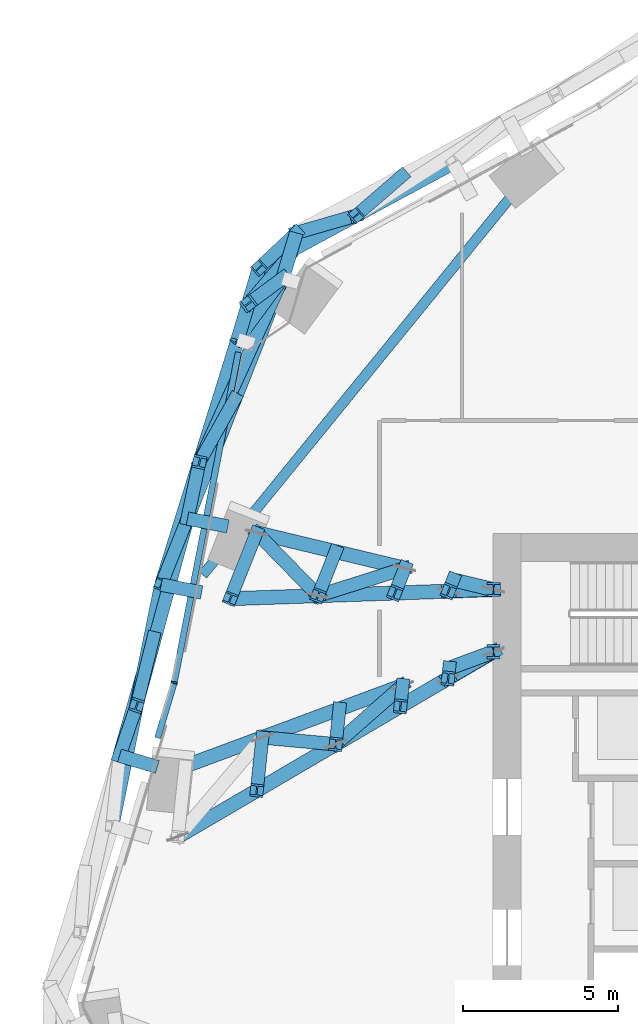
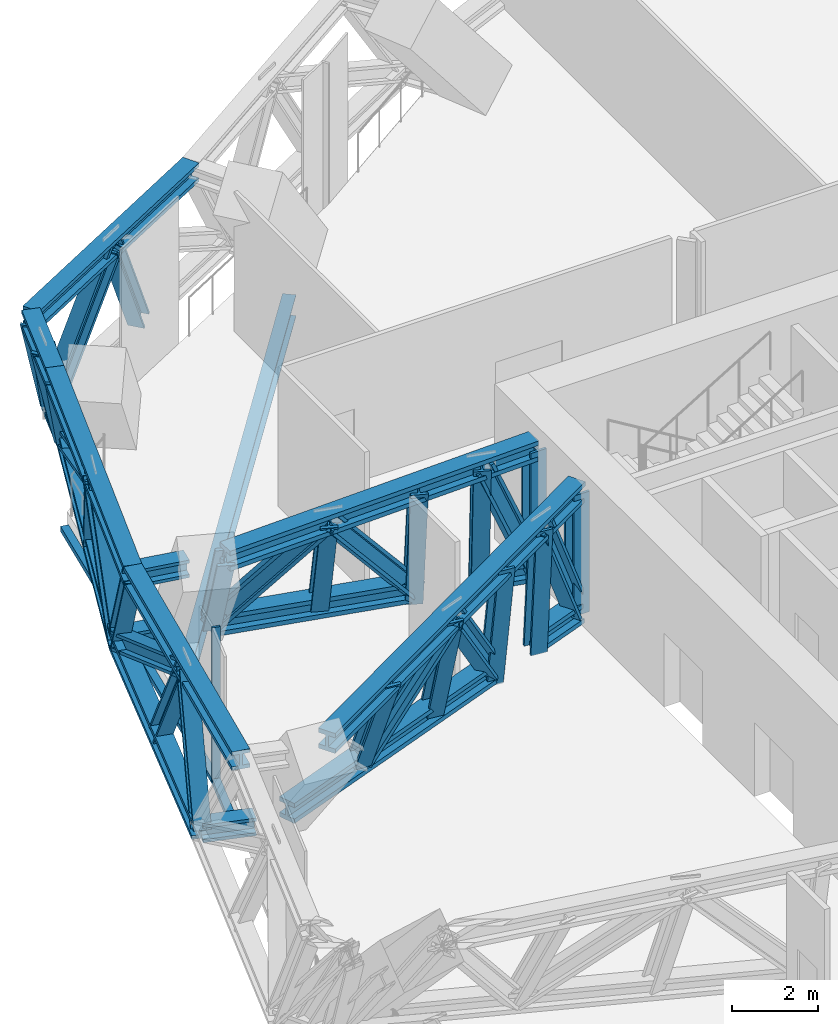
# One storey, part 12 of 39: 49 members, 1 beam, 2 elements without a shape of their own.
"""IFC4 building model written with IfcOpenShell, lengths in metres."""

from ifc_helpers import new_model, si_unit, direction, frame, origin, origin_2d, place, context, subcontext, project, spatial, rectangle, i_section, extrude, material, material_profile, profile_set, type_object, element, aggregate, save


model = new_model("IFC4")

# Units and contexts
model_context = context("Model", 3, precision=1e-05, world=origin(), true_north=direction((0.0, 1.0)))
body_context = subcontext(model_context, "Body", "Model", "MODEL_VIEW")
ifc_project = project(units=[si_unit("LENGTHUNIT", "METRE"), si_unit("AREAUNIT", "SQUARE_METRE"), si_unit("VOLUMEUNIT", "CUBIC_METRE"), si_unit("PLANEANGLEUNIT", "RADIAN"), si_unit("MASSUNIT", "GRAM", prefix="KILO")], contexts=[model_context])

# Site, building, storey
site_placement = place(None, origin())
site = spatial("IfcSite", under=ifc_project, at=site_placement, CompositionType="ELEMENT")
building_placement = place(site_placement, origin())
building = spatial("IfcBuilding", under=site, at=building_placement, Name="Orlundy Tower", CompositionType="ELEMENT")
storey_placement = place(building_placement, frame((0.0, 0.0, 141.199951171875)))
storey = spatial("IfcBuildingStorey", under=building, at=storey_placement, Name="L36", CompositionType="ELEMENT", Elevation=141.199951171875)

# Members
ifc_material_1 = material(Name="Steel ASTM A992 Gr 50", Category="steel")
ifc_material_profile_1 = material_profile(ifc_material_1, i_section(OverallWidth=0.4423828125, OverallDepth=0.531494140625, WebThickness=0.06591796875, FlangeThickness=0.105712890625, at=origin_2d()), Name="W14X605")
ifc_profile_set_1 = profile_set([ifc_material_profile_1], Name="Steel ASTM A992 Gr 50")
member_type_1 = type_object("IfcMemberType", Name="BELT TRUSS chord W14X605", PredefinedType="CHORD", material=ifc_profile_set_1)
member_1_placement = place(storey_placement, frame((-20.280517578125, 23.9296875, 3.71533203125), z_axis=(-0.880179497817, -0.474640971286, 0.0), x_axis=(0.474640971286, -0.880179497817, 0.0)))
element("IfcMember", 1, at=member_1_placement, inside=storey, type_object=member_type_1, Name="Belt truss top chord BT-21A", PredefinedType="CHORD", context=body_context, shape_type="SweptSolid", body=[
    extrude(i_section(OverallWidth=0.4423828125, OverallDepth=0.531494140625, WebThickness=0.06591796875, FlangeThickness=0.105712890625, at=origin_2d()), origin(), (0.0, 0.0, 1.0), 7.101318359375),
])
member_2_placement = place(storey_placement, frame((-25.33154296875, 21.6875, 0.28466796875), z_axis=(-0.286833878675, -0.957980336982, 0.0), x_axis=(0.957980336982, -0.286833878675, 0.0)))
element("IfcMember", 2, at=member_2_placement, inside=storey, type_object=member_type_1, Name="Belt truss bottom chord BT-21B", PredefinedType="CHORD", context=body_context, shape_type="SweptSolid", body=[
    extrude(i_section(OverallWidth=0.4423828125, OverallDepth=0.531494140625, WebThickness=0.06591796875, FlangeThickness=0.105712890625, at=origin_2d()), origin(), (0.0, 0.0, 1.0), 1.525390625),
])
member_3_placement = place(storey_placement, frame((-26.531005859375, 20.55908203125, 3.71533203125), z_axis=(-0.286929577217, -0.957951678175, 0.0), x_axis=(0.957951678175, -0.286929577217, 0.0)))
element("IfcMember", 3, at=member_3_placement, inside=storey, type_object=member_type_1, Name="Belt truss top chord BT-21B", PredefinedType="CHORD", context=body_context, shape_type="SweptSolid", body=[
    extrude(i_section(OverallWidth=0.4423828125, OverallDepth=0.531494140625, WebThickness=0.06591796875, FlangeThickness=0.105712890625, at=origin_2d()), origin(), (0.0, 0.0, 1.0), 2.40966796875),
])
member_4_placement = place(storey_placement, frame((-25.76904296875, 20.226318359375, 0.28466796875), z_axis=(-0.368314147222, -0.929701397738, 0.0), x_axis=(0.929701397738, -0.368314147222, 0.0)))
element("IfcMember", 4, at=member_4_placement, inside=storey, type_object=member_type_1, Name="Belt truss bottom chord BT-22A", PredefinedType="CHORD", context=body_context, shape_type="SweptSolid", body=[
    extrude(i_section(OverallWidth=0.4423828125, OverallDepth=0.531494140625, WebThickness=0.06591796875, FlangeThickness=0.105712890625, at=origin_2d()), origin(), (0.0, 0.0, 1.0), 8.32421875),
])
member_5_placement = place(storey_placement, frame((-27.222412109375, 18.250732421875, 3.71533203125), z_axis=(-0.297420303044, -0.95474664877, 0.0), x_axis=(0.95474664877, -0.297420303044, 0.0)))
element("IfcMember", 5, at=member_5_placement, inside=storey, type_object=member_type_1, Name="Belt truss top chord BT-22A", PredefinedType="CHORD", context=body_context, shape_type="SweptSolid", body=[
    extrude(i_section(OverallWidth=0.4423828125, OverallDepth=0.531494140625, WebThickness=0.06591796875, FlangeThickness=0.105712890625, at=origin_2d()), origin(), (0.0, 0.0, 1.0), 8.263671875),
])
for number, where, z_axis, x_axis, name in (
    (6, (-28.8349609375, 12.4873046875, 0.28466796875), (-0.275618580704, -0.961267079417, 0.0), (0.961267079417, -0.275618580704, 0.0), "Belt truss bottom chord BT-23A"),
    (7, (-29.68017578125, 10.361083984375, 3.71533203125), (-0.199107451658, -0.979977664385, 0.0), (0.979977664385, -0.199107451658, 0.0), "Belt truss top chord BT-23A"),
):
    element("IfcMember", number, at=place(storey_placement, frame(where, z_axis=z_axis, x_axis=x_axis)), inside=storey, type_object=member_type_1, Name=name, PredefinedType="CHORD", context=body_context, shape_type="SweptSolid", body=[
        extrude(i_section(OverallWidth=0.4423828125, OverallDepth=0.531494140625, WebThickness=0.06591796875, FlangeThickness=0.105712890625, at=origin_2d()), origin(), (0.0, 0.0, 1.0), 7.939453125),
    ])
ifc_material_2 = material(Name="Steel ASTM A992 Gr 50", Category="steel")
ifc_material_profile_2 = material_profile(ifc_material_2, i_section(OverallWidth=0.42431640625, OverallDepth=0.47412109375, WebThickness=0.0478515625, FlangeThickness=0.0771484375, at=origin_2d()), Name="W14X426")
ifc_profile_set_2 = profile_set([ifc_material_profile_2], Name="Steel ASTM A992 Gr 50")
member_type_2 = type_object("IfcMemberType", Name="BELT TRUSS diagonal W14X426", PredefinedType="BRACE", material=ifc_profile_set_2)
member_6_placement = place(storey_placement, frame((-23.40576171875, 22.244384765625, 3.71533203125), z_axis=(-0.48466371527, -0.140151867968, -0.863399407578), x_axis=(0.277791928351, -0.960641267354, 0.0)))
element("IfcMember", 8, at=member_6_placement, inside=storey, type_object=member_type_2, Name="Belt truss diagonal BT-21A-1", PredefinedType="BRACE", context=body_context, shape_type="SweptSolid", body=[
    extrude(i_section(OverallWidth=0.42431640625, OverallDepth=0.47412109375, WebThickness=0.0478515625, FlangeThickness=0.0771484375, at=origin_2d()), origin(), (0.0, 0.0, 1.0), 3.973388671875),
])
member_7_placement = place(storey_placement, frame((-25.33154296875, 21.6875, 0.28466796875), z_axis=(-0.351103545482, -0.518694604244, 0.779539741051), x_axis=(0.828118959999, -0.56055239549, 0.0)))
element("IfcMember", 9, at=member_7_placement, inside=storey, type_object=member_type_2, Name="Belt truss diagonal BT-21B-0", PredefinedType="BRACE", context=body_context, shape_type="SweptSolid", body=[
    extrude(i_section(OverallWidth=0.42431640625, OverallDepth=0.47412109375, WebThickness=0.0478515625, FlangeThickness=0.0771484375, at=origin_2d()), origin(), (0.0, 0.0, 1.0), 4.40087890625),
])
member_8_placement = place(storey_placement, frame((-26.876708984375, 19.40478515625, 3.71533203125), z_axis=(0.299573902356, 0.222187829276, -0.927840528081), x_axis=(-0.595714319907, 0.803196395073, 0.0)))
element("IfcMember", 10, at=member_8_placement, inside=storey, type_object=member_type_2, Name="Belt truss diagonal BT-21B-1", PredefinedType="BRACE", context=body_context, shape_type="SweptSolid", body=[
    extrude(i_section(OverallWidth=0.42431640625, OverallDepth=0.47412109375, WebThickness=0.0478515625, FlangeThickness=0.0771484375, at=origin_2d()), origin(), (0.0, 0.0, 1.0), 3.697509765625),
])
member_9_placement = place(storey_placement, frame((-25.76904296875, 20.226318359375, 0.28466796875), z_axis=(-0.364942426064, -0.80555742145, 0.466791459225), x_axis=(0.910885456896, -0.412659283689, 0.0)))
element("IfcMember", 11, at=member_9_placement, inside=storey, type_object=member_type_2, Name="Belt truss diagonal BT-22A-0", PredefinedType="BRACE", context=body_context, shape_type="SweptSolid", body=[
    extrude(i_section(OverallWidth=0.42431640625, OverallDepth=0.47412109375, WebThickness=0.0478515625, FlangeThickness=0.0771484375, at=origin_2d()), origin(), (0.0, 0.0, 1.0), 7.349365234375),
])
member_10_placement = place(storey_placement, frame((-28.451171875, 14.305908203125, 3.71533203125), z_axis=(-0.0983619718, -0.46609308393, -0.879250908226), x_axis=(0.978449324886, -0.206487090713, 0.0)))
element("IfcMember", 12, at=member_10_placement, inside=storey, type_object=member_type_2, Name="Belt truss diagonal BT-22A-1", PredefinedType="BRACE", context=body_context, shape_type="SweptSolid", body=[
    extrude(i_section(OverallWidth=0.42431640625, OverallDepth=0.47412109375, WebThickness=0.0478515625, FlangeThickness=0.0771484375, at=origin_2d()), origin(), (0.0, 0.0, 1.0), 3.90185546875),
])
member_11_placement = place(storey_placement, frame((-28.8349609375, 12.4873046875, 0.28466796875), z_axis=(-0.229851991082, -0.845443651974, 0.48207166846), x_axis=(0.964973152976, -0.26234864977, 0.0)))
element("IfcMember", 13, at=member_11_placement, inside=storey, type_object=member_type_2, Name="Belt truss diagonal BT-23A-0", PredefinedType="BRACE", context=body_context, shape_type="SweptSolid", body=[
    extrude(i_section(OverallWidth=0.42431640625, OverallDepth=0.47412109375, WebThickness=0.0478515625, FlangeThickness=0.0771484375, at=origin_2d()), origin(), (0.0, 0.0, 1.0), 7.116455078125),
])
member_12_placement = place(storey_placement, frame((-30.470703125, 6.470703125, 3.71533203125), z_axis=(-0.144180689872, -0.421519860449, -0.895283718111), x_axis=(0.946180120501, -0.323640509778, 0.0)))
element("IfcMember", 14, at=member_12_placement, inside=storey, type_object=member_type_2, Name="Belt truss diagonal BT-23A-1", PredefinedType="BRACE", context=body_context, shape_type="SweptSolid", body=[
    extrude(i_section(OverallWidth=0.42431640625, OverallDepth=0.47412109375, WebThickness=0.0478515625, FlangeThickness=0.0771484375, at=origin_2d()), origin(), (0.0, 0.0, 1.0), 3.83203125),
])
ifc_material_3 = material(Name="Steel ASTM A992 Gr 50", Category="steel")
ifc_material_profile_3 = material_profile(ifc_material_3, i_section(OverallWidth=0.412109375, OverallDepth=0.434814453125, WebThickness=0.035888671875, FlangeThickness=0.057373046875, at=origin_2d()), Name="W14X311")
ifc_profile_set_3 = profile_set([ifc_material_profile_3], Name="Steel ASTM A992 Gr 50")
member_type_3 = type_object("IfcMemberType", Name="BELT TRUSS post W14X311", PredefinedType="POST", material=ifc_profile_set_3)
member_13_placement = place(storey_placement, frame((-21.917236328125, 23.528564453125, 0.28466796875), z_axis=(-0.376458655912, -0.324778174528, 0.86763933621), x_axis=(0.653222088705, -0.757166364037, 0.0)))
element("IfcMember", 15, at=member_13_placement, inside=storey, type_object=member_type_3, Name="Belt truss post BT-21A-1", PredefinedType="POST", context=body_context, shape_type="SweptSolid", body=[
    extrude(i_section(OverallWidth=0.412109375, OverallDepth=0.434814453125, WebThickness=0.035888671875, FlangeThickness=0.057373046875, at=origin_2d()), origin(), (0.0, 0.0, 1.0), 3.9541015625),
])
member_14_placement = place(storey_placement, frame((-25.33154296875, 21.6875, 0.28466796875), z_axis=(-0.315195586813, -0.296526359098, 0.90151198573), x_axis=(0.685207457352, -0.728347952828, 0.0)))
element("IfcMember", 16, at=member_14_placement, inside=storey, type_object=member_type_3, Name="Belt truss post BT-21A-2", PredefinedType="POST", context=body_context, shape_type="SweptSolid", body=[
    extrude(i_section(OverallWidth=0.412109375, OverallDepth=0.434814453125, WebThickness=0.035888671875, FlangeThickness=0.057373046875, at=origin_2d()), origin(), (0.0, 0.0, 1.0), 3.805419921875),
])
member_15_placement = place(storey_placement, frame((-25.55029296875, 20.956787109375, 0.28466796875), z_axis=(-0.3322530982, -0.388759975199, 0.859344843715), x_axis=(0.760192787932, -0.649697564391, 0.0)))
element("IfcMember", 17, at=member_15_placement, inside=storey, type_object=member_type_3, Name="Belt truss post BT-21B-1", PredefinedType="POST", context=body_context, shape_type="SweptSolid", body=[
    extrude(i_section(OverallWidth=0.412109375, OverallDepth=0.434814453125, WebThickness=0.035888671875, FlangeThickness=0.057373046875, at=origin_2d()), origin(), (0.0, 0.0, 1.0), 3.9921875),
])
member_16_placement = place(storey_placement, frame((-25.76904296875, 20.226318359375, 0.28466796875), z_axis=(-0.344629886215, -0.468460446708, 0.813495575524), x_axis=(0.805508464514, -0.592584267085, 0.0)))
element("IfcMember", 18, at=member_16_placement, inside=storey, type_object=member_type_3, Name="Belt truss post BT-21B-2", PredefinedType="POST", context=body_context, shape_type="SweptSolid", body=[
    extrude(i_section(OverallWidth=0.412109375, OverallDepth=0.434814453125, WebThickness=0.035888671875, FlangeThickness=0.057373046875, at=origin_2d()), origin(), (0.0, 0.0, 1.0), 4.21728515625),
])
member_17_placement = place(storey_placement, frame((-27.302001953125, 16.356689453125, 0.28466796875), z_axis=(-0.276321409954, -0.493116601576, 0.824913629207), x_axis=(0.872373161976, -0.48884053255, 0.0)))
element("IfcMember", 19, at=member_17_placement, inside=storey, type_object=member_type_3, Name="Belt truss post BT-22A-1", PredefinedType="POST", context=body_context, shape_type="SweptSolid", body=[
    extrude(i_section(OverallWidth=0.412109375, OverallDepth=0.434814453125, WebThickness=0.035888671875, FlangeThickness=0.057373046875, at=origin_2d()), origin(), (0.0, 0.0, 1.0), 4.158935546875),
])
member_18_placement = place(storey_placement, frame((-28.8349609375, 12.4873046875, 0.28466796875), z_axis=(-0.204966628778, -0.515613625081, 0.831944271402), x_axis=(0.929269312305, -0.369402957768, 0.0)))
element("IfcMember", 20, at=member_18_placement, inside=storey, type_object=member_type_3, Name="Belt truss post BT-22A-2", PredefinedType="POST", context=body_context, shape_type="SweptSolid", body=[
    extrude(i_section(OverallWidth=0.412109375, OverallDepth=0.434814453125, WebThickness=0.035888671875, FlangeThickness=0.057373046875, at=origin_2d()), origin(), (0.0, 0.0, 1.0), 4.123779296875),
])
member_19_placement = place(storey_placement, frame((-29.92919921875, 8.67138671875, 0.28466796875), z_axis=(-0.131699805845, -0.535230861087, 0.83437586643), x_axis=(0.971035646221, -0.238934664224, 0.0)))
element("IfcMember", 21, at=member_19_placement, inside=storey, type_object=member_type_3, Name="Belt truss post BT-23A-1", PredefinedType="POST", context=body_context, shape_type="SweptSolid", body=[
    extrude(i_section(OverallWidth=0.412109375, OverallDepth=0.434814453125, WebThickness=0.035888671875, FlangeThickness=0.057373046875, at=origin_2d()), origin(), (0.0, 0.0, 1.0), 4.111572265625),
])
ifc_material_4 = material(Name="Steel ASTM A992 Gr 50", Category="steel")
ifc_material_profile_4 = material_profile(ifc_material_4, i_section(OverallWidth=0.43212890625, OverallDepth=0.497802734375, WebThickness=0.0556640625, FlangeThickness=0.0888671875, at=origin_2d()), Name="W14X500")
ifc_profile_set_4 = profile_set([ifc_material_profile_4], Name="Steel ASTM A992 Gr 50")
member_type_4 = type_object("IfcMemberType", Name="BELT TRUSS strut W14X500", PredefinedType="STRUT", material=ifc_profile_set_4)
for number, where, z_axis, x_axis, name in (
    (22, (-27.534912109375, 12.234619140625, 0.28466796875), (-0.981629778016, 0.190795646995, 0.0), (-0.190795646995, -0.981629778016, 0.0), "Belt truss bracket C-H18"),
    (23, (-28.380126953125, 10.1083984375, 3.71533203125), (-0.981629778016, 0.190795646995, 0.0), (-0.190795646995, -0.981629778016, 0.0), "Belt truss bracket C-H18"),
):
    element("IfcMember", number, at=place(storey_placement, frame(where, z_axis=z_axis, x_axis=x_axis)), inside=storey, type_object=member_type_4, Name=name, PredefinedType="STRUT", context=body_context, shape_type="SweptSolid", body=[
        extrude(i_section(OverallWidth=0.43212890625, OverallDepth=0.497802734375, WebThickness=0.0556640625, FlangeThickness=0.0888671875, at=origin_2d()), origin(), (0.0, 0.0, 1.0), 1.324462890625),
    ])
member_20_placement = place(storey_placement, frame((-29.801513671875, 4.48974609375, 0.28466796875), z_axis=(-0.957994733127, 0.28678579341, 0.0), x_axis=(-0.28678579341, -0.957994733127, 0.0)))
element("IfcMember", 24, at=member_20_placement, inside=storey, type_object=member_type_4, Name="Belt truss bracket C-H17", PredefinedType="STRUT", context=body_context, shape_type="SweptSolid", body=[
    extrude(i_section(OverallWidth=0.43212890625, OverallDepth=0.497802734375, WebThickness=0.0556640625, FlangeThickness=0.0888671875, at=origin_2d()), origin(), (0.0, 0.0, 1.0), 1.275146484375),
])

# Beam
ifc_material_5 = material(Name="Steel ASTM A992 Gr 50", Category="steel")
ifc_material_profile_5 = material_profile(ifc_material_5, i_section(OverallWidth=0.32373046875, OverallDepth=0.611083984375, WebThickness=0.0126953125, FlangeThickness=0.01904296875, at=origin_2d()), Name="W24X104")
ifc_profile_set_5 = profile_set([ifc_material_profile_5], Name="Steel ASTM A992 Gr 50")
beam_type = type_object("IfcBeamType", Name="CANTILEVER GIRDER beam W24X104", PredefinedType="BEAM", material=ifc_profile_set_5)
beam_placement = place(storey_placement, frame((-28.342041015625, 10.6748046875, -0.755615234375), z_axis=(0.631615020572, 0.775282184619, 0.0), x_axis=(-0.775282184619, 0.631615020572, 0.0)))
element("IfcBeam", 25, at=beam_placement, inside=storey, type_object=beam_type, Name="Cantilever girder C-H18 L36", PredefinedType="BEAM", context=body_context, shape_type="SweptSolid", body=[
    extrude(i_section(OverallWidth=0.32373046875, OverallDepth=0.611083984375, WebThickness=0.0126953125, FlangeThickness=0.01904296875, at=origin_2d()), origin(), (0.0, 0.0, 1.0), 16.604248046875),
])

# Curtain wall, member
ifc_material_6 = material(Name="Aluminium bronze anodised", Category="aluminium")
curtain_wall_type = type_object("IfcCurtainWallType", Name="CW4 wall", PredefinedType="NOTDEFINED", material=ifc_material_6)
curtain_wall_1_placement = place(storey_placement, origin())
curtain_wall_1 = element("IfcCurtainWall", 26, at=curtain_wall_1_placement, inside=storey, type_object=curtain_wall_type, Name="CW4 run 017", PredefinedType="NOTDEFINED")
ifc_material_7 = material(Name="Aluminium bronze anodised", Category="aluminium")
ifc_material_profile_6 = material_profile(ifc_material_7, rectangle(XDim=0.199951171875, YDim=0.06005859375, at=origin_2d()), Name="CW4 mullion 60x200")
ifc_profile_set_6 = profile_set([ifc_material_profile_6], Name="Aluminium bronze anodised")
member_type_5 = type_object("IfcMemberType", Name="CW4 mullion 60x200", PredefinedType="MULLION", material=ifc_profile_set_6)
member_21_placement = place(storey_placement, frame((-29.26220703125, 7.20703125, -0.449951171875), z_axis=(0.0, 0.0, 1.0), x_axis=(-0.970993935278, 0.239104114674, 0.0)))
member_21 = element("IfcMember", 27, at=member_21_placement, type_object=member_type_5, Name="CW4 mullion 32", PredefinedType="MULLION", context=body_context, shape_type="SweptSolid", body=[
    extrude(rectangle(XDim=0.199951171875, YDim=0.06005859375, at=origin_2d()), origin(), (0.0, 0.0, 1.0), 4.449951171875),
])

curtain_wall_2_placement = place(storey_placement, origin())
curtain_wall_2 = element("IfcCurtainWall", 28, at=curtain_wall_2_placement, inside=storey, type_object=curtain_wall_type, Name="CW4 run 016", PredefinedType="NOTDEFINED")
ifc_material_8 = material(Name="Aluminium bronze anodised", Category="aluminium")
ifc_material_profile_7 = material_profile(ifc_material_8, rectangle(XDim=0.199951171875, YDim=0.14990234375, at=origin_2d()), Name="CW4 transom 200x150")
ifc_profile_set_7 = profile_set([ifc_material_profile_7], Name="Aluminium bronze anodised")
member_type_6 = type_object("IfcMemberType", Name="CW4 transom 200x150", PredefinedType="USERDEFINED", material=ifc_profile_set_7)
member_22_placement = place(storey_placement, frame((-29.7958984375, 5.4248046875, -0.375), z_axis=(0.286907323412, 0.957958343443, 0.0), x_axis=(-0.957958343443, 0.286907323412, 0.0)))
member_22 = element("IfcMember", 29, at=member_22_placement, type_object=member_type_6, Name="CW4 transom", ObjectType="TRANSOM", PredefinedType="USERDEFINED", context=body_context, shape_type="SweptSolid", body=[
    extrude(rectangle(XDim=0.199951171875, YDim=0.14990234375, at=origin_2d()), origin(), (0.0, 0.0, 1.0), 1.830322265625),
])
aggregate(curtain_wall_2, [member_22])

# Member
member_23_placement = place(storey_placement, frame((-29.256591796875, 7.236328125, -0.375), z_axis=(0.190768661451, 0.981635022709, 0.0), x_axis=(-0.981635022709, 0.190768661451, 0.0)))
member_23 = element("IfcMember", 30, at=member_23_placement, type_object=member_type_6, Name="CW4 transom", ObjectType="TRANSOM", PredefinedType="USERDEFINED", context=body_context, shape_type="SweptSolid", body=[
    extrude(rectangle(XDim=0.199951171875, YDim=0.14990234375, at=origin_2d()), origin(), (0.0, 0.0, 1.0), 10.80517578125),
])

aggregate(curtain_wall_1, [member_21, member_23])

# Members
ifc_material_9 = material(Name="Steel ASTM A992 Gr 50", Category="steel")
ifc_material_profile_8 = material_profile(ifc_material_9, i_section(OverallWidth=0.454345703125, OverallDepth=0.569580078125, WebThickness=0.077880859375, FlangeThickness=0.124755859375, at=origin_2d()), Name="W14X730")
ifc_profile_set_8 = profile_set([ifc_material_profile_8], Name="Steel ASTM A992 Gr 50")
member_type_7 = type_object("IfcMemberType", Name="OUTRIGGER TRUSS chord W14X730", PredefinedType="CHORD", material=ifc_profile_set_8)
member_24_placement = place(storey_placement, frame((-18.97998046875, 8.199951171875, 0.28466796875), z_axis=(-0.937580540396, -0.347768213429, 0.0), x_axis=(0.347768213429, -0.937580540396, 0.0)))
element("IfcMember", 31, at=member_24_placement, inside=storey, type_object=member_type_7, Name="Outrigger truss bottom chord OR-W-C-H17", PredefinedType="CHORD", context=body_context, shape_type="SweptSolid", body=[
    extrude(i_section(OverallWidth=0.454345703125, OverallDepth=0.569580078125, WebThickness=0.077880859375, FlangeThickness=0.124755859375, at=origin_2d()), origin(), (0.0, 0.0, 1.0), 1.524169921875),
])
member_25_placement = place(storey_placement, frame((-21.908935546875, 7.113525390625, 0.28466796875), z_axis=(-0.937593574437, -0.347733071729, 0.0), x_axis=(0.347733071729, -0.937593574437, 0.0)))
element("IfcMember", 32, at=member_25_placement, inside=storey, type_object=member_type_7, Name="Outrigger truss bottom chord OR-W-C-H172", PredefinedType="CHORD", context=body_context, shape_type="SweptSolid", body=[
    extrude(i_section(OverallWidth=0.454345703125, OverallDepth=0.569580078125, WebThickness=0.077880859375, FlangeThickness=0.124755859375, at=origin_2d()), origin(), (0.0, 0.0, 1.0), 7.462646484375),
])
member_26_placement = place(storey_placement, frame((-18.97998046875, 8.199951171875, 3.71533203125), z_axis=(-0.862750344626, -0.505630144323, 0.0), x_axis=(0.505630144323, -0.862750344626, 0.0)))
element("IfcMember", 33, at=member_26_placement, inside=storey, type_object=member_type_7, Name="Outrigger truss top chord OR-W-C-H17", PredefinedType="CHORD", context=body_context, shape_type="SweptSolid", body=[
    extrude(i_section(OverallWidth=0.454345703125, OverallDepth=0.569580078125, WebThickness=0.077880859375, FlangeThickness=0.124755859375, at=origin_2d()), origin(), (0.0, 0.0, 1.0), 11.780517578125),
])
member_27_placement = place(storey_placement, frame((-18.97998046875, 10.199951171875, 0.28466796875), z_axis=(-0.972296412127, 0.23375133575, 0.0), x_axis=(-0.23375133575, -0.972296412127, 0.0)))
element("IfcMember", 34, at=member_27_placement, inside=storey, type_object=member_type_7, Name="Outrigger truss bottom chord OR-W-C-H18", PredefinedType="CHORD", context=body_context, shape_type="SweptSolid", body=[
    extrude(i_section(OverallWidth=0.454345703125, OverallDepth=0.569580078125, WebThickness=0.077880859375, FlangeThickness=0.124755859375, at=origin_2d()), origin(), (0.0, 0.0, 1.0), 1.342041015625),
])
member_28_placement = place(storey_placement, frame((-21.840576171875, 10.887451171875, 0.28466796875), z_axis=(-0.972311832233, 0.233687186, 0.0), x_axis=(-0.233687186, -0.972311832233, 0.0)))
element("IfcMember", 35, at=member_28_placement, inside=storey, type_object=member_type_7, Name="Outrigger truss bottom chord OR-W-C-H182", PredefinedType="CHORD", context=body_context, shape_type="SweptSolid", body=[
    extrude(i_section(OverallWidth=0.454345703125, OverallDepth=0.569580078125, WebThickness=0.077880859375, FlangeThickness=0.124755859375, at=origin_2d()), origin(), (0.0, 0.0, 1.0), 4.9072265625),
])
member_29_placement = place(storey_placement, frame((-18.97998046875, 10.199951171875, 3.71533203125), z_axis=(-0.999407263533, -0.034425595092, 0.0), x_axis=(0.034425595092, -0.999407263533, 0.0)))
element("IfcMember", 36, at=member_29_placement, inside=storey, type_object=member_type_7, Name="Outrigger truss top chord OR-W-C-H18", PredefinedType="CHORD", context=body_context, shape_type="SweptSolid", body=[
    extrude(i_section(OverallWidth=0.454345703125, OverallDepth=0.569580078125, WebThickness=0.077880859375, FlangeThickness=0.124755859375, at=origin_2d()), origin(), (0.0, 0.0, 1.0), 8.48193359375),
])
ifc_material_10 = material(Name="Steel ASTM A992 Gr 50", Category="steel")
ifc_material_profile_9 = material_profile(ifc_material_10, i_section(OverallWidth=0.43212890625, OverallDepth=0.497802734375, WebThickness=0.0556640625, FlangeThickness=0.0888671875, at=origin_2d()), Name="W14X500")
ifc_profile_set_9 = profile_set([ifc_material_profile_9], Name="Steel ASTM A992 Gr 50")
member_type_8 = type_object("IfcMemberType", Name="OUTRIGGER TRUSS diagonal W14X500", PredefinedType="BRACE", material=ifc_profile_set_9)
member_30_placement = place(storey_placement, frame((-18.97998046875, 8.199951171875, 0.28466796875), z_axis=(-0.382326002983, -0.224049544882, 0.896453361241), x_axis=(0.505597572132, -0.86276943331, 0.0)))
element("IfcMember", 37, at=member_30_placement, inside=storey, type_object=member_type_8, Name="Outrigger truss diagonal OR-W-C-H17-0", PredefinedType="BRACE", context=body_context, shape_type="SweptSolid", body=[
    extrude(i_section(OverallWidth=0.43212890625, OverallDepth=0.497802734375, WebThickness=0.0556640625, FlangeThickness=0.0888671875, at=origin_2d()), origin(), (0.0, 0.0, 1.0), 3.826904296875),
])
member_31_placement = place(storey_placement, frame((-21.908935546875, 7.113525390625, 0.28466796875), z_axis=(-0.481589923938, -0.423207112792, 0.767441779449), x_axis=(0.660107324946, -0.751171298409, 0.0)))
element("IfcMember", 38, at=member_31_placement, inside=storey, type_object=member_type_8, Name="Outrigger truss diagonal OR-W-C-H17-2", PredefinedType="BRACE", context=body_context, shape_type="SweptSolid", body=[
    extrude(i_section(OverallWidth=0.43212890625, OverallDepth=0.497802734375, WebThickness=0.0556640625, FlangeThickness=0.0888671875, at=origin_2d()), origin(), (0.0, 0.0, 1.0), 4.47021484375),
])
member_32_placement = place(storey_placement, frame((-24.061767578125, 5.2216796875, 3.71533203125), z_axis=(-0.566405307419, 0.052092665455, -0.822478803334), x_axis=(-0.091584130894, -0.995797342318, 0.0)))
element("IfcMember", 39, at=member_32_placement, inside=storey, type_object=member_type_8, Name="Outrigger truss diagonal OR-W-C-H17-3", PredefinedType="BRACE", context=body_context, shape_type="SweptSolid", body=[
    extrude(i_section(OverallWidth=0.43212890625, OverallDepth=0.497802734375, WebThickness=0.0556640625, FlangeThickness=0.0888671875, at=origin_2d()), origin(), (0.0, 0.0, 1.0), 4.171142578125),
])
member_33_placement = place(storey_placement, frame((-18.97998046875, 10.199951171875, 0.28466796875), z_axis=(-0.389100439354, -0.01337205014, 0.921098277259), x_axis=(0.034346300256, -0.999409991774, 0.0)))
element("IfcMember", 40, at=member_33_placement, inside=storey, type_object=member_type_8, Name="Outrigger truss diagonal OR-W-C-H18-0", PredefinedType="BRACE", context=body_context, shape_type="SweptSolid", body=[
    extrude(i_section(OverallWidth=0.43212890625, OverallDepth=0.497802734375, WebThickness=0.0556640625, FlangeThickness=0.0888671875, at=origin_2d()), origin(), (0.0, 0.0, 1.0), 3.724609375),
])
member_34_placement = place(storey_placement, frame((-21.840576171875, 10.887451171875, 0.28466796875), z_axis=(-0.618859829573, -0.195603233685, 0.760757442496), x_axis=(0.301374876648, -0.953505733452, 0.0)))
element("IfcMember", 41, at=member_34_placement, inside=storey, type_object=member_type_8, Name="Outrigger truss diagonal OR-W-C-H18-2", PredefinedType="BRACE", context=body_context, shape_type="SweptSolid", body=[
    extrude(i_section(OverallWidth=0.43212890625, OverallDepth=0.497802734375, WebThickness=0.0556640625, FlangeThickness=0.0888671875, at=origin_2d()), origin(), (0.0, 0.0, 1.0), 4.509521484375),
])
member_35_placement = place(storey_placement, frame((-24.63134765625, 10.00537109375, 3.71533203125), z_axis=(-0.444989873955, 0.455851313186, -0.77083305089), x_axis=(-0.715580354836, -0.698530425804, 0.0)))
element("IfcMember", 42, at=member_35_placement, inside=storey, type_object=member_type_8, Name="Outrigger truss diagonal OR-W-C-H18-3", PredefinedType="BRACE", context=body_context, shape_type="SweptSolid", body=[
    extrude(i_section(OverallWidth=0.43212890625, OverallDepth=0.497802734375, WebThickness=0.0556640625, FlangeThickness=0.0888671875, at=origin_2d()), origin(), (0.0, 0.0, 1.0), 4.45068359375),
])
ifc_material_11 = material(Name="Steel ASTM A992 Gr 50", Category="steel")
ifc_material_profile_10 = material_profile(ifc_material_11, i_section(OverallWidth=0.41845703125, OverallDepth=0.455078125, WebThickness=0.0419921875, FlangeThickness=0.067626953125, at=origin_2d()), Name="W14X370")
ifc_profile_set_10 = profile_set([ifc_material_profile_10], Name="Steel ASTM A992 Gr 50")
member_type_9 = type_object("IfcMemberType", Name="OUTRIGGER TRUSS post W14X370", PredefinedType="POST", material=ifc_profile_set_10)
member_36_placement = place(storey_placement, frame((-18.97998046875, 8.199951171875, 0.28466796875), z_axis=(0.0, 0.0, 1.0), x_axis=(1.0, 0.0, 0.0)))
element("IfcMember", 43, at=member_36_placement, inside=storey, type_object=member_type_9, Name="Outrigger truss post OR-W-C-H17-0", PredefinedType="POST", context=body_context, shape_type="SweptSolid", body=[
    extrude(i_section(OverallWidth=0.41845703125, OverallDepth=0.455078125, WebThickness=0.0419921875, FlangeThickness=0.067626953125, at=origin_2d()), origin(), (0.0, 0.0, 1.0), 3.4306640625),
])
member_37_placement = place(storey_placement, frame((-20.408935546875, 7.669921875, 0.0), z_axis=(-0.009163736258, -0.087775502303, 0.996098131277), x_axis=(0.994594498353, -0.103835368956, 0.0)))
element("IfcMember", 44, at=member_37_placement, inside=storey, type_object=member_type_9, Name="Outrigger truss post OR-W-C-H17-1", PredefinedType="POST", context=body_context, shape_type="SweptSolid", body=[
    extrude(i_section(OverallWidth=0.41845703125, OverallDepth=0.455078125, WebThickness=0.0419921875, FlangeThickness=0.067626953125, at=origin_2d()), origin(), (0.0, 0.0, 1.0), 3.72998046875),
])
member_38_placement = place(storey_placement, frame((-21.908935546875, 7.113525390625, 0.0), z_axis=(-0.018620312485, -0.177733468821, 0.983902484001), x_axis=(0.994556874865, -0.104195118211, 0.0)))
element("IfcMember", 45, at=member_38_placement, inside=storey, type_object=member_type_9, Name="Outrigger truss post OR-W-C-H17-2", PredefinedType="POST", context=body_context, shape_type="SweptSolid", body=[
    extrude(i_section(OverallWidth=0.41845703125, OverallDepth=0.455078125, WebThickness=0.0419921875, FlangeThickness=0.067626953125, at=origin_2d()), origin(), (0.0, 0.0, 1.0), 3.776123046875),
])
member_39_placement = place(storey_placement, frame((-23.94287109375, 6.359130859375, 0.28466796875), z_axis=(-0.032878236698, -0.31453738147, 0.948675527886), x_axis=(0.9945812229, -0.103962450215, 0.0)))
element("IfcMember", 46, at=member_39_placement, inside=storey, type_object=member_type_9, Name="Outrigger truss post OR-W-C-H17-3", PredefinedType="POST", context=body_context, shape_type="SweptSolid", body=[
    extrude(i_section(OverallWidth=0.41845703125, OverallDepth=0.455078125, WebThickness=0.0419921875, FlangeThickness=0.067626953125, at=origin_2d()), origin(), (0.0, 0.0, 1.0), 3.6162109375),
])
member_40_placement = place(storey_placement, frame((-26.42431640625, 5.43896484375, 0.28466796875), z_axis=(-0.04646405327, -0.444845573021, 0.894401200758), x_axis=(0.994589346157, -0.103884707783, 0.0)))
element("IfcMember", 47, at=member_40_placement, inside=storey, type_object=member_type_9, Name="Outrigger truss post OR-W-C-H17-4", PredefinedType="POST", context=body_context, shape_type="SweptSolid", body=[
    extrude(i_section(OverallWidth=0.41845703125, OverallDepth=0.455078125, WebThickness=0.0419921875, FlangeThickness=0.067626953125, at=origin_2d()), origin(), (0.0, 0.0, 1.0), 3.835693359375),
])
member_41_placement = place(storey_placement, frame((-18.97998046875, 10.199951171875, 0.28466796875), z_axis=(0.0, 0.0, 1.0), x_axis=(1.0, 0.0, 0.0)))
element("IfcMember", 48, at=member_41_placement, inside=storey, type_object=member_type_9, Name="Outrigger truss post OR-W-C-H18-0", PredefinedType="POST", context=body_context, shape_type="SweptSolid", body=[
    extrude(i_section(OverallWidth=0.41845703125, OverallDepth=0.455078125, WebThickness=0.0419921875, FlangeThickness=0.067626953125, at=origin_2d()), origin(), (0.0, 0.0, 1.0), 3.4306640625),
])
member_42_placement = place(storey_placement, frame((-20.284912109375, 10.513671875, 0.0), z_axis=(-0.03862217781, -0.097306975904, 0.994504740975), x_axis=(0.929463533202, -0.368914001425, 0.0)))
element("IfcMember", 49, at=member_42_placement, inside=storey, type_object=member_type_9, Name="Outrigger truss post OR-W-C-H18-1", PredefinedType="POST", context=body_context, shape_type="SweptSolid", body=[
    extrude(i_section(OverallWidth=0.41845703125, OverallDepth=0.455078125, WebThickness=0.0419921875, FlangeThickness=0.067626953125, at=origin_2d()), origin(), (0.0, 0.0, 1.0), 3.73583984375),
])
member_43_placement = place(storey_placement, frame((-21.840576171875, 10.887451171875, 0.0), z_axis=(-0.083044948058, -0.208988982622, 0.974385520082), x_axis=(0.929318626745, -0.369278878336, 0.0)))
element("IfcMember", 50, at=member_43_placement, inside=storey, type_object=member_type_9, Name="Outrigger truss post OR-W-C-H18-2", PredefinedType="POST", context=body_context, shape_type="SweptSolid", body=[
    extrude(i_section(OverallWidth=0.41845703125, OverallDepth=0.455078125, WebThickness=0.0419921875, FlangeThickness=0.067626953125, at=origin_2d()), origin(), (0.0, 0.0, 1.0), 3.81298828125),
])
member_44_placement = place(storey_placement, frame((-24.06787109375, 11.422607421875, 0.28466796875), z_axis=(-0.150084311367, -0.377486753676, 0.913771552567), x_axis=(0.929247466795, -0.369457907556, 0.0)))
element("IfcMember", 51, at=member_44_placement, inside=storey, type_object=member_type_9, Name="Outrigger truss post OR-W-C-H18-3", PredefinedType="POST", context=body_context, shape_type="SweptSolid", body=[
    extrude(i_section(OverallWidth=0.41845703125, OverallDepth=0.455078125, WebThickness=0.0419921875, FlangeThickness=0.067626953125, at=origin_2d()), origin(), (0.0, 0.0, 1.0), 3.75439453125),
])
member_45_placement = place(storey_placement, frame((-26.61181640625, 12.0341796875, 0.28466796875), z_axis=(-0.204909910325, -0.515619881255, 0.831954365759), x_axis=(0.929305937354, -0.369310810562, 0.0)))
element("IfcMember", 52, at=member_45_placement, inside=storey, type_object=member_type_9, Name="Outrigger truss post OR-W-C-H18-4", PredefinedType="POST", context=body_context, shape_type="SweptSolid", body=[
    extrude(i_section(OverallWidth=0.41845703125, OverallDepth=0.455078125, WebThickness=0.0419921875, FlangeThickness=0.067626953125, at=origin_2d()), origin(), (0.0, 0.0, 1.0), 4.12353515625),
])

save(model, "model.ifc")
